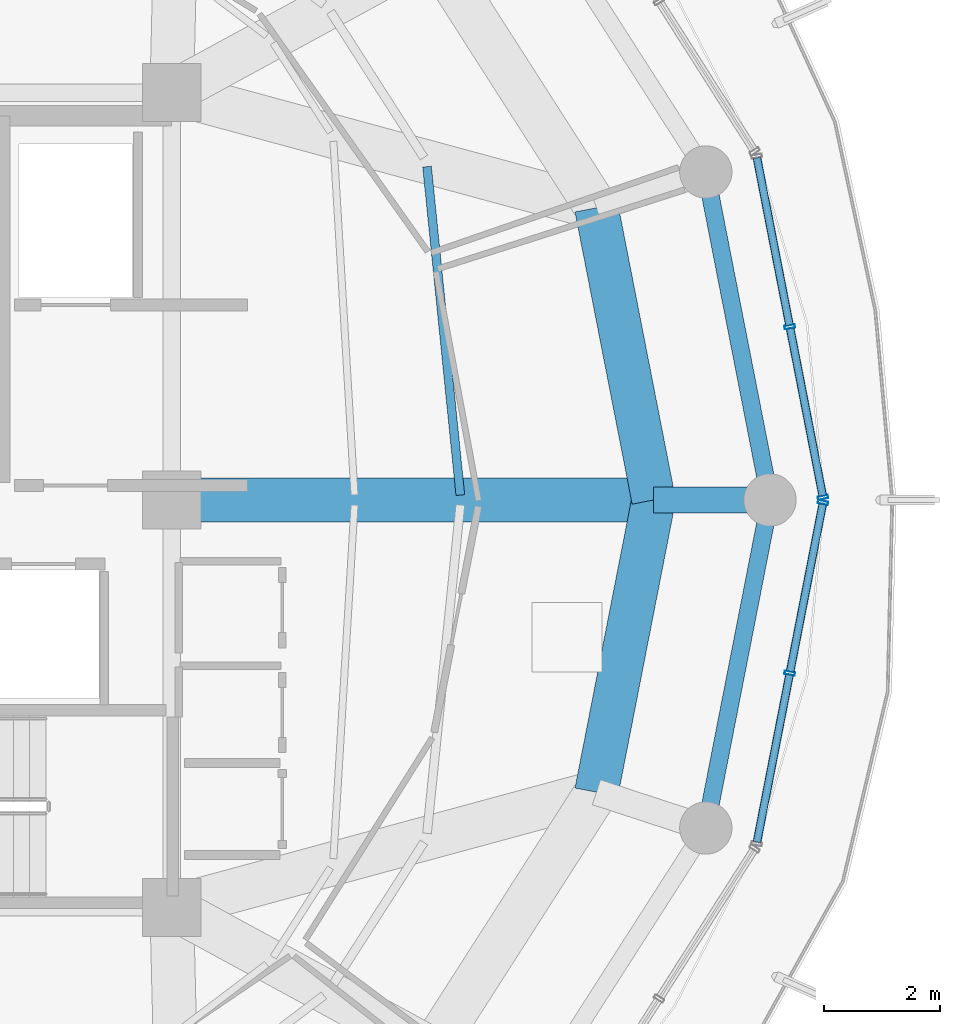
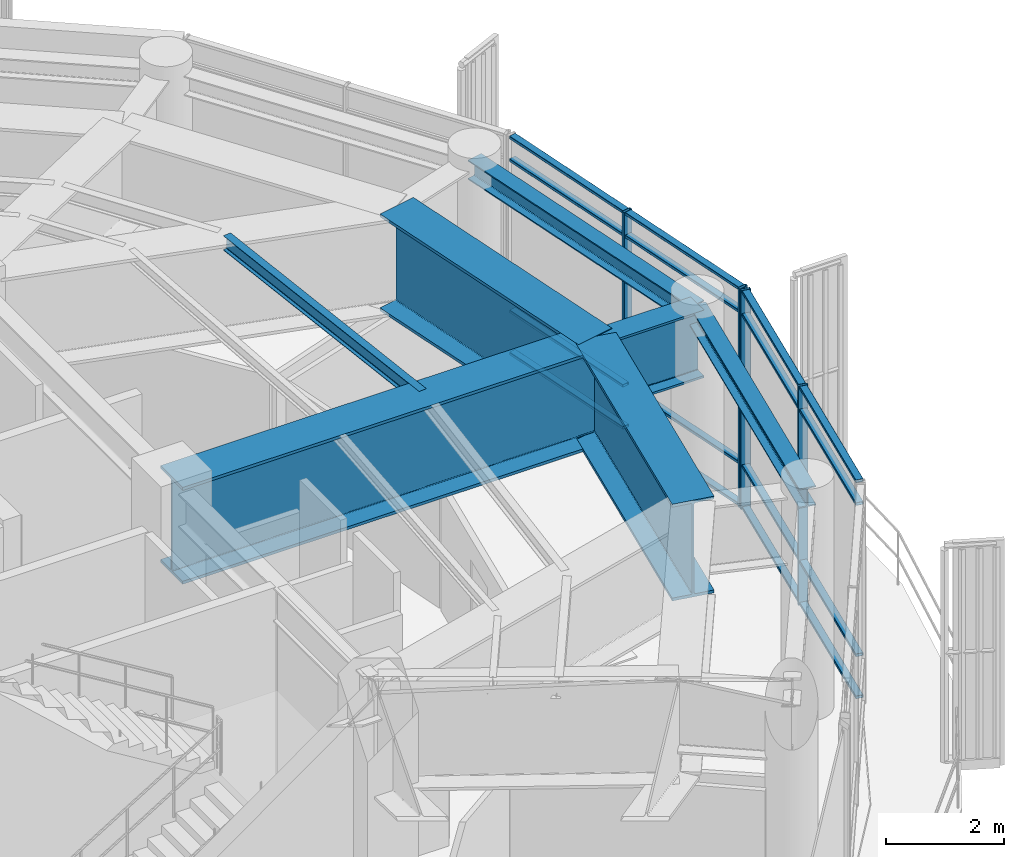
# One storey, part 12 of 23: 20 members, 7 beams, 2 elements without a shape of their own.
"""IFC4 building model written with IfcOpenShell, lengths in metres."""

from ifc_helpers import new_model, si_unit, direction, frame, origin, origin_2d, place, context, subcontext, project, spatial, hollow_rectangle, i_section, extrude, material, layer, layer_set, material_profile, profile_set, type_object, element, aggregate, save


model = new_model("IFC4")

# Units and contexts
model_context = context("Model", 3, precision=1e-05, world=origin(), true_north=direction((0.0, 1.0)))
body_context = subcontext(model_context, "Body", "Model", "MODEL_VIEW")
ifc_project = project(units=[si_unit("LENGTHUNIT", "METRE"), si_unit("AREAUNIT", "SQUARE_METRE"), si_unit("VOLUMEUNIT", "CUBIC_METRE"), si_unit("PLANEANGLEUNIT", "RADIAN"), si_unit("MASSUNIT", "GRAM", prefix="KILO")], contexts=[model_context])

# Site, building, storey
site_placement = place(None, origin())
site = spatial("IfcSite", under=ifc_project, at=site_placement, CompositionType="ELEMENT")
building_placement = place(site_placement, origin())
building = spatial("IfcBuilding", under=site, at=building_placement, Name="Kelanora Arch Commons", CompositionType="ELEMENT")
storey_placement = place(building_placement, frame((0.0, 0.0, 293.699951171875)))
storey = spatial("IfcBuildingStorey", under=building, at=storey_placement, Name="L75", CompositionType="ELEMENT", Elevation=293.699951171875)

# Beams
ifc_material_1 = material(Name="Steel S355", Category="steel")
ifc_material_profile_1 = material_profile(ifc_material_1, i_section(OverallWidth=0.14990234375, OverallDepth=0.300048828125, WebThickness=0.007080078125, FlangeThickness=0.0107421875, FilletRadius=0.014892578125, at=origin_2d()), Name="IPE300")
ifc_profile_set_1 = profile_set([ifc_material_profile_1], Name="Steel S355")
beam_type_1 = type_object("IfcBeamType", Name="BM-JST-01", PredefinedType="JOIST", material=ifc_profile_set_1)
beam_1_placement = place(storey_placement, frame((86.95947265625, 58.084716796875, 4.39013671875), z_axis=(-0.100846008885, 0.994902046682, 0.0), x_axis=(-0.994902046682, -0.100846008885, 0.0)))
element("IfcBeam", 1, at=beam_1_placement, inside=storey, type_object=beam_type_1, Name="Secondary Chord Joist BJB-00 L75", PredefinedType="JOIST", context=body_context, shape_type="SweptSolid", body=[
    extrude(i_section(OverallWidth=0.14990234375, OverallDepth=0.300048828125, WebThickness=0.007080078125, FlangeThickness=0.0107421875, FilletRadius=0.014892578125, at=origin_2d()), origin(), (0.0, 0.0, 1.0), 5.672119140625),
])
ifc_material_profile_2 = material_profile(ifc_material_1, i_section(OverallWidth=0.449951171875, OverallDepth=1.39990234375, WebThickness=0.028076171875, FlangeThickness=0.044921875, FilletRadius=0.02392578125, at=origin_2d()), Name="PG1400x450")
ifc_profile_set_2 = profile_set([ifc_material_profile_2], Name="Steel S355")
beam_type_2 = type_object("IfcBeamType", Name="BM-MAST-GRIL", PredefinedType="USERDEFINED", material=ifc_profile_set_2)
beam_2_placement = place(storey_placement, frame((90.280029296875, 58.0, 3.820068359375), z_axis=(1.0, 0.0, 0.0), x_axis=(0.0, 1.0, 0.0)))
element("IfcBeam", 2, at=beam_2_placement, inside=storey, type_object=beam_type_2, Name="Radial Floor Girder BR-00 L75", ObjectType="TRANSFER_GIRDER", PredefinedType="USERDEFINED", context=body_context, shape_type="SweptSolid", body=[
    extrude(i_section(OverallWidth=0.449951171875, OverallDepth=1.39990234375, WebThickness=0.028076171875, FlangeThickness=0.044921875, FilletRadius=0.02392578125, at=origin_2d()), origin(), (0.0, 0.0, 1.0), 2.0),
])
ifc_material_profile_3 = material_profile(ifc_material_1, i_section(OverallWidth=0.300048828125, OverallDepth=0.39990234375, WebThickness=0.013427734375, FlangeThickness=0.02392578125, FilletRadius=0.027099609375, at=origin_2d()), Name="HEB400")
ifc_profile_set_3 = profile_set([ifc_material_profile_3], Name="Steel S355")
beam_type_3 = type_object("IfcBeamType", Name="BM-SPN-Z4", PredefinedType="SPANDREL", material=ifc_profile_set_3)
for number, where, z_axis, x_axis, name in (
    (3, (92.280029296875, 58.0, 4.320068359375), (-0.191969774604, 0.981400838413, 0.0), (-0.981400838413, -0.191969774604, 0.0), "Perimeter Spandrel Beam BS-00 L75"),
    (4, (91.177490234375, 52.363525390625, 4.320068359375), (0.191969774604, 0.981400838413, 0.0), (-0.981400838413, 0.191969774604, 0.0), "Perimeter Spandrel Beam BS-34 L75"),
):
    element("IfcBeam", number, at=place(storey_placement, frame(where, z_axis=z_axis, x_axis=x_axis)), inside=storey, type_object=beam_type_3, Name=name, PredefinedType="SPANDREL", context=body_context, shape_type="SweptSolid", body=[
        extrude(i_section(OverallWidth=0.300048828125, OverallDepth=0.39990234375, WebThickness=0.013427734375, FlangeThickness=0.02392578125, FilletRadius=0.027099609375, at=origin_2d()), origin(), (0.0, 0.0, 1.0), 5.743408203125),
    ])
ifc_material_profile_4 = material_profile(ifc_material_1, i_section(OverallWidth=0.75, OverallDepth=2.0, WebThickness=0.034912109375, FlangeThickness=0.06005859375, FilletRadius=0.028076171875, at=origin_2d()), Name="PG2000x750")
ifc_profile_set_4 = profile_set([ifc_material_profile_4], Name="Steel S355")
beam_type_4 = type_object("IfcBeamType", Name="BM-XFER-SET", PredefinedType="USERDEFINED", material=ifc_profile_set_4)
beam_3_placement = place(storey_placement, frame((82.0, 58.0, 3.5400390625), z_axis=(1.0, 0.0, 0.0), x_axis=(0.0, 1.0, 0.0)))
element("IfcBeam", 5, at=beam_3_placement, inside=storey, type_object=beam_type_4, Name="Setback Radial Transfer Girder BRI-00 L75", ObjectType="TRANSFER_GIRDER", PredefinedType="USERDEFINED", context=body_context, shape_type="SweptSolid", body=[
    extrude(i_section(OverallWidth=0.75, OverallDepth=2.0, WebThickness=0.034912109375, FlangeThickness=0.06005859375, FilletRadius=0.028076171875, at=origin_2d()), origin(), (0.0, 0.0, 1.0), 8.280029296875),
])
for number, where, z_axis, x_axis, name in (
    (6, (90.280029296875, 58.0, 3.5400390625), (-0.191929675955, 0.981408681176, 0.0), (-0.981408681176, -0.191929675955, 0.0), "Setback Inner Transfer Ring BSI-00 L75"),
    (7, (89.298095703125, 52.97900390625, 3.5400390625), (0.191929675955, 0.981408681176, 0.0), (-0.981408681176, 0.191929675955, 0.0), "Setback Inner Transfer Ring BSI-34 L75"),
):
    element("IfcBeam", number, at=place(storey_placement, frame(where, z_axis=z_axis, x_axis=x_axis)), inside=storey, type_object=beam_type_4, Name=name, ObjectType="TRANSFER_GIRDER", PredefinedType="USERDEFINED", context=body_context, shape_type="SweptSolid", body=[
        extrude(i_section(OverallWidth=0.75, OverallDepth=2.0, WebThickness=0.034912109375, FlangeThickness=0.06005859375, FilletRadius=0.028076171875, at=origin_2d()), origin(), (0.0, 0.0, 1.0), 5.1162109375),
    ])

# Curtain wall, members
ifc_material_2 = material(Name="Terracotta ceramic-fritted low-E glass and aluminium", Category="masonry")
ifc_layer = layer(ifc_material_2, 0.22509765625)
ifc_layer_set = layer_set([ifc_layer], Name="Terracotta ceramic-fritted low-E glass and aluminium")
curtain_wall_type = type_object("IfcCurtainWallType", Name="CW-SYS-05", PredefinedType="NOTDEFINED", material=ifc_layer_set)
curtain_wall_1_placement = place(storey_placement, origin())
curtain_wall_1 = element("IfcCurtainWall", 8, at=curtain_wall_1_placement, inside=storey, type_object=curtain_wall_type, Name="Unitised Curtain Wall L75-B00", PredefinedType="NOTDEFINED")
ifc_material_3 = material(Name="Powder-coated aluminium terracotta", Category="masonry")
ifc_material_profile_5 = material_profile(ifc_material_3, hollow_rectangle(XDim=0.179931640625, YDim=0.06005859375, WallThickness=0.0048828125, InnerFilletRadius=0.0048828125, OuterFilletRadius=0.010009765625, at=origin_2d()), Name="CWM180x60")
ifc_profile_set_5 = profile_set([ifc_material_profile_5], Name="Powder-coated aluminium terracotta")
member_type_1 = type_object("IfcMemberType", Name="CWM-HVY", PredefinedType="MULLION", material=ifc_profile_set_5)
member_1_placement = place(storey_placement, frame((93.19140625, 58.044189453125, 0.0), z_axis=(0.0, 0.0, 1.0), x_axis=(-0.981595542501, -0.190971701941, 0.0)))
member_1 = element("IfcMember", 9, at=member_1_placement, type_object=member_type_1, Name="CW-05 mullion 1", PredefinedType="MULLION", context=body_context, shape_type="SweptSolid", body=[
    extrude(hollow_rectangle(XDim=0.179931640625, YDim=0.06005859375, WallThickness=0.0048828125, InnerFilletRadius=0.0048828125, OuterFilletRadius=0.010009765625, at=origin_2d()), origin(), (0.0, 0.0, 1.0), 4.525146484375),
])
member_2_placement = place(storey_placement, frame((92.62109375, 60.9755859375, 0.0), z_axis=(0.0, 0.0, 1.0), x_axis=(-0.981595542501, -0.190971701941, 0.0)))
member_2 = element("IfcMember", 10, at=member_2_placement, type_object=member_type_1, Name="CW-05 mullion 2", PredefinedType="MULLION", context=body_context, shape_type="SweptSolid", body=[
    extrude(hollow_rectangle(XDim=0.179931640625, YDim=0.06005859375, WallThickness=0.0048828125, InnerFilletRadius=0.0048828125, OuterFilletRadius=0.010009765625, at=origin_2d()), origin(), (0.0, 0.0, 1.0), 4.525146484375),
])

curtain_wall_2_placement = place(storey_placement, origin())
curtain_wall_2 = element("IfcCurtainWall", 11, at=curtain_wall_2_placement, inside=storey, type_object=curtain_wall_type, Name="Unitised Curtain Wall L75-B17", PredefinedType="NOTDEFINED")
member_3_placement = place(storey_placement, frame((92.62109375, 55.0244140625, 0.0), z_axis=(0.0, 0.0, 1.0), x_axis=(-0.981595542501, 0.190971701941, 0.0)))
member_3 = element("IfcMember", 12, at=member_3_placement, type_object=member_type_1, Name="CW-05 mullion 2", PredefinedType="MULLION", context=body_context, shape_type="SweptSolid", body=[
    extrude(hollow_rectangle(XDim=0.179931640625, YDim=0.06005859375, WallThickness=0.0048828125, InnerFilletRadius=0.0048828125, OuterFilletRadius=0.010009765625, at=origin_2d()), origin(), (0.0, 0.0, 1.0), 4.525146484375),
])
member_4_placement = place(storey_placement, frame((93.19140625, 57.955810546875, 0.0), z_axis=(0.0, 0.0, 1.0), x_axis=(-0.981595542501, 0.190971701941, 0.0)))
member_4 = element("IfcMember", 13, at=member_4_placement, type_object=member_type_1, Name="CW-05 mullion 3", PredefinedType="MULLION", context=body_context, shape_type="SweptSolid", body=[
    extrude(hollow_rectangle(XDim=0.179931640625, YDim=0.06005859375, WallThickness=0.0048828125, InnerFilletRadius=0.0048828125, OuterFilletRadius=0.010009765625, at=origin_2d()), origin(), (0.0, 0.0, 1.0), 4.525146484375),
])

# Member
ifc_material_profile_6 = material_profile(ifc_material_3, hollow_rectangle(XDim=0.139892578125, YDim=0.06005859375, WallThickness=0.0048828125, InnerFilletRadius=0.0048828125, OuterFilletRadius=0.010009765625, at=origin_2d()), Name="CWT140x60")
ifc_profile_set_6 = profile_set([ifc_material_profile_6], Name="Powder-coated aluminium terracotta")
member_type_2 = type_object("IfcMemberType", Name="CWT-HVY", PredefinedType="USERDEFINED", material=ifc_profile_set_6)
member_5_placement = place(storey_placement, frame((93.185546875, 58.073486328125, 0.030029296875), z_axis=(-0.190963443354, 0.981597149192, 0.0), x_axis=(-0.981597149192, -0.190963443354, 0.0)))
member_5 = element("IfcMember", 14, at=member_5_placement, type_object=member_type_2, Name="CW-05 transom 1.1", ObjectType="TRANSOM", PredefinedType="USERDEFINED", context=body_context, shape_type="SweptSolid", body=[
    extrude(hollow_rectangle(XDim=0.139892578125, YDim=0.06005859375, WallThickness=0.0048828125, InnerFilletRadius=0.0048828125, OuterFilletRadius=0.010009765625, at=origin_2d()), origin(), (0.0, 0.0, 1.0), 2.926513671875),
])

member_6_placement = place(storey_placement, frame((93.185546875, 58.073486328125, 0.900146484375), z_axis=(-0.190963443354, 0.981597149192, 0.0), x_axis=(-0.981597149192, -0.190963443354, 0.0)))
member_6 = element("IfcMember", 15, at=member_6_placement, type_object=member_type_2, Name="CW-05 transom 1.2", ObjectType="TRANSOM", PredefinedType="USERDEFINED", context=body_context, shape_type="SweptSolid", body=[
    extrude(hollow_rectangle(XDim=0.139892578125, YDim=0.06005859375, WallThickness=0.0048828125, InnerFilletRadius=0.0048828125, OuterFilletRadius=0.010009765625, at=origin_2d()), origin(), (0.0, 0.0, 1.0), 2.926513671875),
])

member_7_placement = place(storey_placement, frame((93.185546875, 58.073486328125, 4.025146484375), z_axis=(-0.190963443354, 0.981597149192, 0.0), x_axis=(-0.981597149192, -0.190963443354, 0.0)))
member_7 = element("IfcMember", 16, at=member_7_placement, type_object=member_type_2, Name="CW-05 transom 1.3", ObjectType="TRANSOM", PredefinedType="USERDEFINED", context=body_context, shape_type="SweptSolid", body=[
    extrude(hollow_rectangle(XDim=0.139892578125, YDim=0.06005859375, WallThickness=0.0048828125, InnerFilletRadius=0.0048828125, OuterFilletRadius=0.010009765625, at=origin_2d()), origin(), (0.0, 0.0, 1.0), 2.926513671875),
])

member_8_placement = place(storey_placement, frame((93.185546875, 58.073486328125, 4.4951171875), z_axis=(-0.190963443354, 0.981597149192, 0.0), x_axis=(-0.981597149192, -0.190963443354, 0.0)))
member_8 = element("IfcMember", 17, at=member_8_placement, type_object=member_type_2, Name="CW-05 transom 1.4", ObjectType="TRANSOM", PredefinedType="USERDEFINED", context=body_context, shape_type="SweptSolid", body=[
    extrude(hollow_rectangle(XDim=0.139892578125, YDim=0.06005859375, WallThickness=0.0048828125, InnerFilletRadius=0.0048828125, OuterFilletRadius=0.010009765625, at=origin_2d()), origin(), (0.0, 0.0, 1.0), 2.926513671875),
])

member_9_placement = place(storey_placement, frame((92.615234375, 61.005126953125, 0.030029296875), z_axis=(-0.190963443354, 0.981597149192, 0.0), x_axis=(-0.981597149192, -0.190963443354, 0.0)))
member_9 = element("IfcMember", 18, at=member_9_placement, type_object=member_type_2, Name="CW-05 transom 2.1", ObjectType="TRANSOM", PredefinedType="USERDEFINED", context=body_context, shape_type="SweptSolid", body=[
    extrude(hollow_rectangle(XDim=0.139892578125, YDim=0.06005859375, WallThickness=0.0048828125, InnerFilletRadius=0.0048828125, OuterFilletRadius=0.010009765625, at=origin_2d()), origin(), (0.0, 0.0, 1.0), 2.926513671875),
])

member_10_placement = place(storey_placement, frame((92.615234375, 61.005126953125, 0.900146484375), z_axis=(-0.190963443354, 0.981597149192, 0.0), x_axis=(-0.981597149192, -0.190963443354, 0.0)))
member_10 = element("IfcMember", 19, at=member_10_placement, type_object=member_type_2, Name="CW-05 transom 2.2", ObjectType="TRANSOM", PredefinedType="USERDEFINED", context=body_context, shape_type="SweptSolid", body=[
    extrude(hollow_rectangle(XDim=0.139892578125, YDim=0.06005859375, WallThickness=0.0048828125, InnerFilletRadius=0.0048828125, OuterFilletRadius=0.010009765625, at=origin_2d()), origin(), (0.0, 0.0, 1.0), 2.926513671875),
])

member_11_placement = place(storey_placement, frame((92.615234375, 61.005126953125, 4.025146484375), z_axis=(-0.190963443354, 0.981597149192, 0.0), x_axis=(-0.981597149192, -0.190963443354, 0.0)))
member_11 = element("IfcMember", 20, at=member_11_placement, type_object=member_type_2, Name="CW-05 transom 2.3", ObjectType="TRANSOM", PredefinedType="USERDEFINED", context=body_context, shape_type="SweptSolid", body=[
    extrude(hollow_rectangle(XDim=0.139892578125, YDim=0.06005859375, WallThickness=0.0048828125, InnerFilletRadius=0.0048828125, OuterFilletRadius=0.010009765625, at=origin_2d()), origin(), (0.0, 0.0, 1.0), 2.926513671875),
])

member_12_placement = place(storey_placement, frame((92.615234375, 61.005126953125, 4.4951171875), z_axis=(-0.190963443354, 0.981597149192, 0.0), x_axis=(-0.981597149192, -0.190963443354, 0.0)))
member_12 = element("IfcMember", 21, at=member_12_placement, type_object=member_type_2, Name="CW-05 transom 2.4", ObjectType="TRANSOM", PredefinedType="USERDEFINED", context=body_context, shape_type="SweptSolid", body=[
    extrude(hollow_rectangle(XDim=0.139892578125, YDim=0.06005859375, WallThickness=0.0048828125, InnerFilletRadius=0.0048828125, OuterFilletRadius=0.010009765625, at=origin_2d()), origin(), (0.0, 0.0, 1.0), 2.926513671875),
])

aggregate(curtain_wall_1, [member_1, member_2, member_5, member_6, member_7, member_8, member_9, member_10, member_11, member_12])

member_13_placement = place(storey_placement, frame((92.056396484375, 52.122314453125, 0.030029296875), z_axis=(0.190963443354, 0.981597149192, 0.0), x_axis=(-0.981597149192, 0.190963443354, 0.0)))
member_13 = element("IfcMember", 22, at=member_13_placement, type_object=member_type_2, Name="CW-05 transom 1.1", ObjectType="TRANSOM", PredefinedType="USERDEFINED", context=body_context, shape_type="SweptSolid", body=[
    extrude(hollow_rectangle(XDim=0.139892578125, YDim=0.06005859375, WallThickness=0.0048828125, InnerFilletRadius=0.0048828125, OuterFilletRadius=0.010009765625, at=origin_2d()), origin(), (0.0, 0.0, 1.0), 2.926513671875),
])

member_14_placement = place(storey_placement, frame((92.056396484375, 52.122314453125, 0.900146484375), z_axis=(0.190963443354, 0.981597149192, 0.0), x_axis=(-0.981597149192, 0.190963443354, 0.0)))
member_14 = element("IfcMember", 23, at=member_14_placement, type_object=member_type_2, Name="CW-05 transom 1.2", ObjectType="TRANSOM", PredefinedType="USERDEFINED", context=body_context, shape_type="SweptSolid", body=[
    extrude(hollow_rectangle(XDim=0.139892578125, YDim=0.06005859375, WallThickness=0.0048828125, InnerFilletRadius=0.0048828125, OuterFilletRadius=0.010009765625, at=origin_2d()), origin(), (0.0, 0.0, 1.0), 2.926513671875),
])

member_15_placement = place(storey_placement, frame((92.056396484375, 52.122314453125, 4.025146484375), z_axis=(0.190963443354, 0.981597149192, 0.0), x_axis=(-0.981597149192, 0.190963443354, 0.0)))
member_15 = element("IfcMember", 24, at=member_15_placement, type_object=member_type_2, Name="CW-05 transom 1.3", ObjectType="TRANSOM", PredefinedType="USERDEFINED", context=body_context, shape_type="SweptSolid", body=[
    extrude(hollow_rectangle(XDim=0.139892578125, YDim=0.06005859375, WallThickness=0.0048828125, InnerFilletRadius=0.0048828125, OuterFilletRadius=0.010009765625, at=origin_2d()), origin(), (0.0, 0.0, 1.0), 2.926513671875),
])

member_16_placement = place(storey_placement, frame((92.056396484375, 52.122314453125, 4.4951171875), z_axis=(0.190963443354, 0.981597149192, 0.0), x_axis=(-0.981597149192, 0.190963443354, 0.0)))
member_16 = element("IfcMember", 25, at=member_16_placement, type_object=member_type_2, Name="CW-05 transom 1.4", ObjectType="TRANSOM", PredefinedType="USERDEFINED", context=body_context, shape_type="SweptSolid", body=[
    extrude(hollow_rectangle(XDim=0.139892578125, YDim=0.06005859375, WallThickness=0.0048828125, InnerFilletRadius=0.0048828125, OuterFilletRadius=0.010009765625, at=origin_2d()), origin(), (0.0, 0.0, 1.0), 2.926513671875),
])

member_17_placement = place(storey_placement, frame((92.626708984375, 55.053955078125, 0.030029296875), z_axis=(0.190963443354, 0.981597149192, 0.0), x_axis=(-0.981597149192, 0.190963443354, 0.0)))
member_17 = element("IfcMember", 26, at=member_17_placement, type_object=member_type_2, Name="CW-05 transom 2.1", ObjectType="TRANSOM", PredefinedType="USERDEFINED", context=body_context, shape_type="SweptSolid", body=[
    extrude(hollow_rectangle(XDim=0.139892578125, YDim=0.06005859375, WallThickness=0.0048828125, InnerFilletRadius=0.0048828125, OuterFilletRadius=0.010009765625, at=origin_2d()), origin(), (0.0, 0.0, 1.0), 2.926513671875),
])

member_18_placement = place(storey_placement, frame((92.626708984375, 55.053955078125, 0.900146484375), z_axis=(0.190963443354, 0.981597149192, 0.0), x_axis=(-0.981597149192, 0.190963443354, 0.0)))
member_18 = element("IfcMember", 27, at=member_18_placement, type_object=member_type_2, Name="CW-05 transom 2.2", ObjectType="TRANSOM", PredefinedType="USERDEFINED", context=body_context, shape_type="SweptSolid", body=[
    extrude(hollow_rectangle(XDim=0.139892578125, YDim=0.06005859375, WallThickness=0.0048828125, InnerFilletRadius=0.0048828125, OuterFilletRadius=0.010009765625, at=origin_2d()), origin(), (0.0, 0.0, 1.0), 2.926513671875),
])

member_19_placement = place(storey_placement, frame((92.626708984375, 55.053955078125, 4.025146484375), z_axis=(0.190963443354, 0.981597149192, 0.0), x_axis=(-0.981597149192, 0.190963443354, 0.0)))
member_19 = element("IfcMember", 28, at=member_19_placement, type_object=member_type_2, Name="CW-05 transom 2.3", ObjectType="TRANSOM", PredefinedType="USERDEFINED", context=body_context, shape_type="SweptSolid", body=[
    extrude(hollow_rectangle(XDim=0.139892578125, YDim=0.06005859375, WallThickness=0.0048828125, InnerFilletRadius=0.0048828125, OuterFilletRadius=0.010009765625, at=origin_2d()), origin(), (0.0, 0.0, 1.0), 2.926513671875),
])

member_20_placement = place(storey_placement, frame((92.626708984375, 55.053955078125, 4.4951171875), z_axis=(0.190963443354, 0.981597149192, 0.0), x_axis=(-0.981597149192, 0.190963443354, 0.0)))
member_20 = element("IfcMember", 29, at=member_20_placement, type_object=member_type_2, Name="CW-05 transom 2.4", ObjectType="TRANSOM", PredefinedType="USERDEFINED", context=body_context, shape_type="SweptSolid", body=[
    extrude(hollow_rectangle(XDim=0.139892578125, YDim=0.06005859375, WallThickness=0.0048828125, InnerFilletRadius=0.0048828125, OuterFilletRadius=0.010009765625, at=origin_2d()), origin(), (0.0, 0.0, 1.0), 2.926513671875),
])

aggregate(curtain_wall_2, [member_3, member_4, member_13, member_14, member_15, member_16, member_17, member_18, member_19, member_20])

save(model, "model.ifc")
